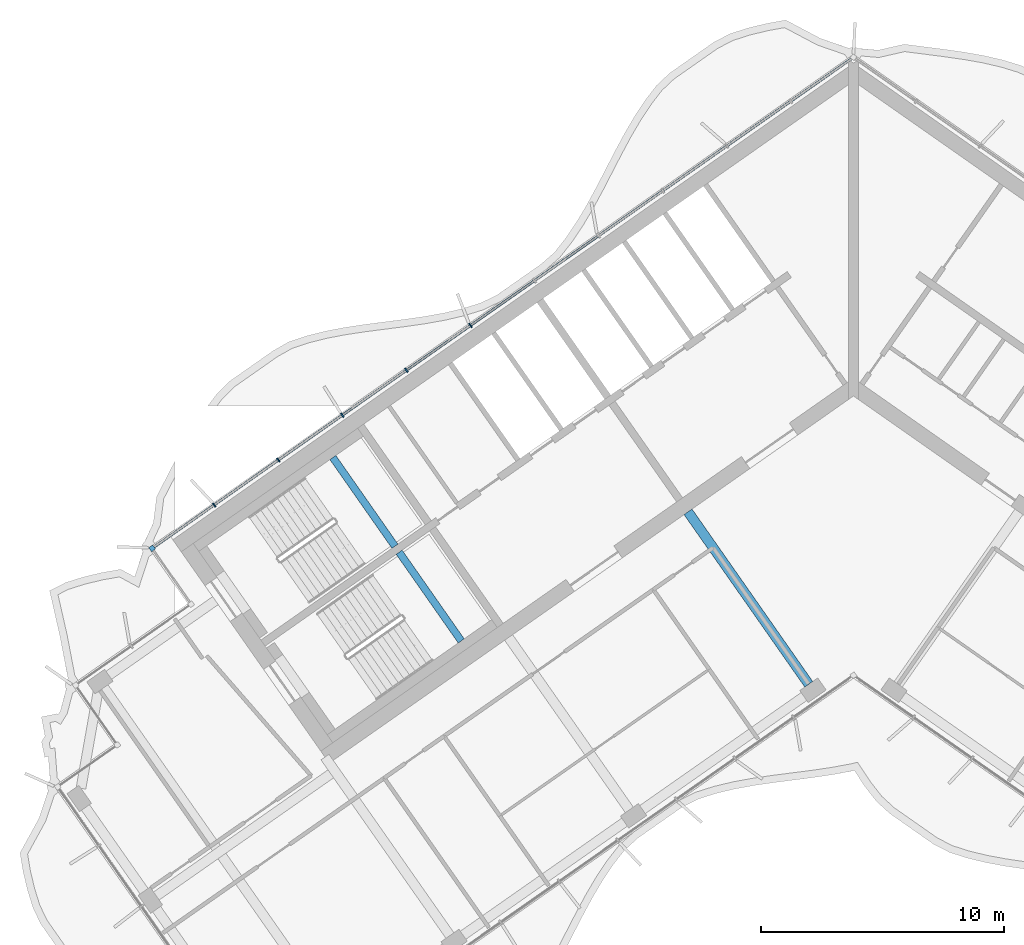
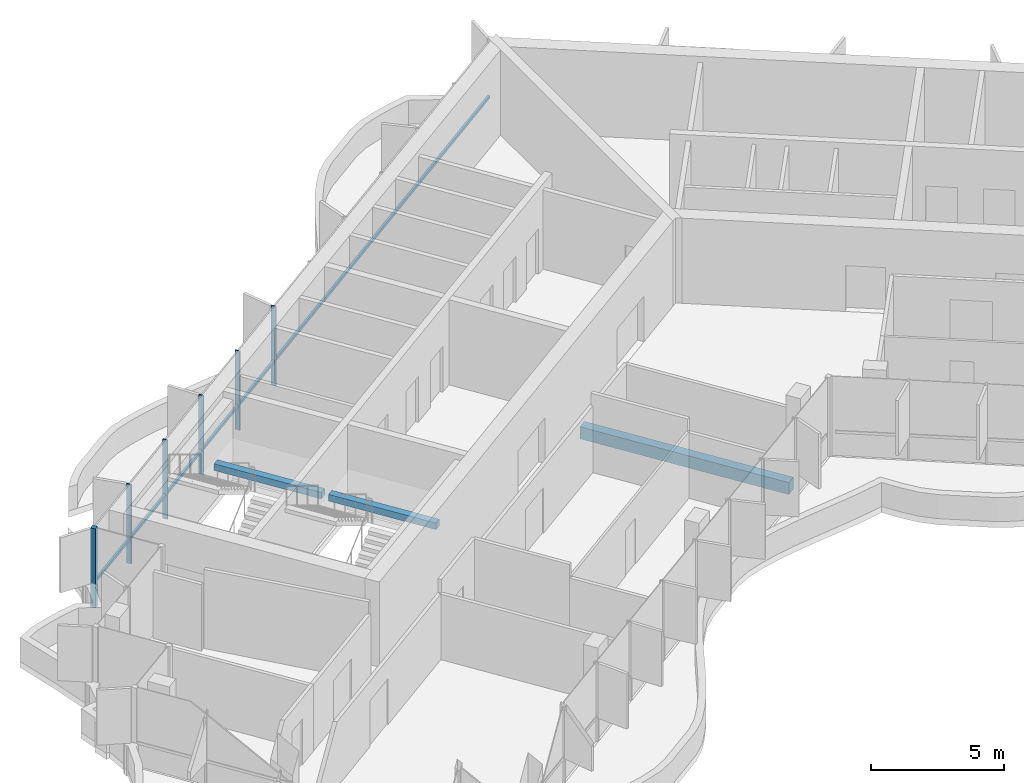
# One storey, part 3 of 20: 7 members, 3 beams, 1 element without a shape of its own.
"""IFC4 building model written with IfcOpenShell, lengths in metres."""

from ifc_helpers import new_model, si_unit, direction, frame, origin, origin_2d, place, context, subcontext, project, spatial, rectangle, extrude, material, material_profile, profile_set, type_object, element, aggregate, save


model = new_model("IFC4")

# Units and contexts
model_context = context("Model", 3, precision=1e-05, world=origin(), true_north=direction((0.0, 1.0)))
body_context = subcontext(model_context, "Body", "Model", "MODEL_VIEW")
ifc_project = project(units=[si_unit("LENGTHUNIT", "METRE"), si_unit("AREAUNIT", "SQUARE_METRE"), si_unit("VOLUMEUNIT", "CUBIC_METRE"), si_unit("PLANEANGLEUNIT", "RADIAN"), si_unit("MASSUNIT", "GRAM", prefix="KILO")], contexts=[model_context])

# Site, building, storey
site_placement = place(None, origin())
site = spatial("IfcSite", under=ifc_project, at=site_placement, CompositionType="ELEMENT")
building_placement = place(site_placement, origin())
building = spatial("IfcBuilding", under=site, at=building_placement, Name="Tel Ilan Convention Tower", CompositionType="ELEMENT")
storey_placement = place(building_placement, frame((0.0, 0.0, 244.89990234375)))
storey = spatial("IfcBuildingStorey", under=building, at=storey_placement, Name="L57", CompositionType="ELEMENT", Elevation=244.89990234375)

# Beam
ifc_material_1 = material(Name="Concrete C40/50", Category="concrete")
ifc_material_profile_1 = material_profile(ifc_material_1, rectangle(XDim=0.39990234375, YDim=0.550048828125, at=origin_2d()), Name="RC 400x550")
ifc_profile_set_1 = profile_set([ifc_material_profile_1], Name="Concrete C40/50")
beam_type_1 = type_object("IfcBeamType", Name="Beam RC 400x550 Concrete C40/50", PredefinedType="BEAM", material=ifc_profile_set_1)
beam_1_placement = place(storey_placement, frame((-1.83740234375, -13.06689453125, -0.554931640625), z_axis=(-0.573574099654, 0.819153680457, 0.0), x_axis=(-0.819153680457, -0.573574099654, 0.0)))
element("IfcBeam", 1, at=beam_1_placement, inside=storey, type_object=beam_type_1, Name="L57 beam W-W-F1-core", PredefinedType="BEAM", context=body_context, shape_type="SweptSolid", body=[
    extrude(rectangle(XDim=0.39990234375, YDim=0.550048828125, at=origin_2d()), origin(), (0.0, 0.0, 1.0), 8.64990234375),
])

# Curtain wall, members
ifc_material_2 = material(Name="Aluminium, bronze anodised", Category="aluminium")
curtain_wall_type = type_object("IfcCurtainWallType", Name="CW2 STICK CURTAIN WALL, SPANDREL PANELS", PredefinedType="NOTDEFINED", material=ifc_material_2)
curtain_wall_placement = place(storey_placement, origin())
curtain_wall = element("IfcCurtainWall", 2, at=curtain_wall_placement, inside=storey, type_object=curtain_wall_type, Name="Curtain wall CW2-44.01", PredefinedType="NOTDEFINED")
ifc_material_3 = material(Name="Aluminium, bronze anodised", Category="aluminium")
ifc_material_profile_2 = material_profile(ifc_material_3, rectangle(XDim=0.199951171875, YDim=0.199951171875, at=origin_2d()), Name="CW CORNER MULLION 200x200")
ifc_profile_set_2 = profile_set([ifc_material_profile_2], Name="Aluminium, bronze anodised")
member_type_1 = type_object("IfcMemberType", Name="CW CORNER MULLION 200x200", PredefinedType="MULLION", material=ifc_profile_set_2)
member_1_placement = place(storey_placement, frame((-28.819580078125, -7.483642578125, 0.0), z_axis=(0.0, 0.0, 1.0), x_axis=(-0.819152044289, -0.573576436351, 0.0)))
member_1 = element("IfcMember", 3, at=member_1_placement, type_object=member_type_1, Name="Corner mullion", PredefinedType="MULLION", context=body_context, shape_type="SweptSolid", body=[
    extrude(rectangle(XDim=0.199951171875, YDim=0.199951171875, at=origin_2d()), origin(), (0.0, 0.0, 1.0), 3.6201171875),
])
ifc_material_4 = material(Name="Aluminium, bronze anodised", Category="aluminium")
ifc_material_profile_3 = material_profile(ifc_material_4, rectangle(XDim=0.06005859375, YDim=0.199951171875, at=origin_2d()), Name="CW MULLION 60x200")
ifc_profile_set_3 = profile_set([ifc_material_profile_3], Name="Aluminium, bronze anodised")
member_type_2 = type_object("IfcMemberType", Name="CW MULLION 60x200", PredefinedType="MULLION", material=ifc_profile_set_3)
member_2_placement = place(storey_placement, frame((-15.73828125, 1.676025390625, 0.0), z_axis=(0.0, 0.0, 1.0), x_axis=(-0.819152044289, -0.573576436351, 0.0)))
member_2 = element("IfcMember", 4, at=member_2_placement, type_object=member_type_2, Name="Mullion", PredefinedType="MULLION", context=body_context, shape_type="SweptSolid", body=[
    extrude(rectangle(XDim=0.06005859375, YDim=0.199951171875, at=origin_2d()), origin(), (0.0, 0.0, 1.0), 3.6201171875),
])
member_3_placement = place(storey_placement, frame((-18.37109375, -0.16748046875, 0.0), z_axis=(0.0, 0.0, 1.0), x_axis=(-0.819152044289, -0.573576436351, 0.0)))
member_3 = element("IfcMember", 5, at=member_3_placement, type_object=member_type_2, Name="Mullion", PredefinedType="MULLION", context=body_context, shape_type="SweptSolid", body=[
    extrude(rectangle(XDim=0.06005859375, YDim=0.199951171875, at=origin_2d()), origin(), (0.0, 0.0, 1.0), 3.6201171875),
])
member_4_placement = place(storey_placement, frame((-21.003662109375, -2.0107421875, 0.0), z_axis=(0.0, 0.0, 1.0), x_axis=(-0.819152044289, -0.573576436351, 0.0)))
member_4 = element("IfcMember", 6, at=member_4_placement, type_object=member_type_2, Name="Mullion", PredefinedType="MULLION", context=body_context, shape_type="SweptSolid", body=[
    extrude(rectangle(XDim=0.06005859375, YDim=0.199951171875, at=origin_2d()), origin(), (0.0, 0.0, 1.0), 3.6201171875),
])
member_5_placement = place(storey_placement, frame((-23.63623046875, -3.854248046875, 0.0), z_axis=(0.0, 0.0, 1.0), x_axis=(-0.819152044289, -0.573576436351, 0.0)))
member_5 = element("IfcMember", 7, at=member_5_placement, type_object=member_type_2, Name="Mullion", PredefinedType="MULLION", context=body_context, shape_type="SweptSolid", body=[
    extrude(rectangle(XDim=0.06005859375, YDim=0.199951171875, at=origin_2d()), origin(), (0.0, 0.0, 1.0), 3.6201171875),
])
member_6_placement = place(storey_placement, frame((-26.268798828125, -5.697509765625, 0.0), z_axis=(0.0, 0.0, 1.0), x_axis=(-0.819152044289, -0.573576436351, 0.0)))
member_6 = element("IfcMember", 8, at=member_6_placement, type_object=member_type_2, Name="Mullion", PredefinedType="MULLION", context=body_context, shape_type="SweptSolid", body=[
    extrude(rectangle(XDim=0.06005859375, YDim=0.199951171875, at=origin_2d()), origin(), (0.0, 0.0, 1.0), 3.6201171875),
])
ifc_material_5 = material(Name="Aluminium, bronze anodised", Category="aluminium")
ifc_material_profile_4 = material_profile(ifc_material_5, rectangle(XDim=0.10009765625, YDim=0.1201171875, at=origin_2d()), Name="CW TRANSOM 100x120")
ifc_profile_set_4 = profile_set([ifc_material_profile_4], Name="Aluminium, bronze anodised")
member_type_3 = type_object("IfcMemberType", Name="CW TRANSOM 100x120", PredefinedType="USERDEFINED", material=ifc_profile_set_4)
member_7_placement = place(storey_placement, frame((-0.1064453125, 12.62158203125, 1.10009765625), z_axis=(-0.819150201937, -0.573579067494, 0.0), x_axis=(0.573579067494, -0.819150201937, 0.0)))
member_7 = element("IfcMember", 9, at=member_7_placement, type_object=member_type_3, Name="Transom", ObjectType="TRANSOM", PredefinedType="USERDEFINED", context=body_context, shape_type="SweptSolid", body=[
    extrude(rectangle(XDim=0.10009765625, YDim=0.1201171875, at=origin_2d()), origin(), (0.0, 0.0, 1.0), 34.9521484375),
])
aggregate(curtain_wall, [member_2, member_3, member_4, member_5, member_6, member_1, member_7])

# Beams
ifc_material_6 = material(Name="Concrete C40/50", Category="concrete")
ifc_material_profile_5 = material_profile(ifc_material_6, rectangle(XDim=0.300048828125, YDim=0.300048828125, at=origin_2d()), Name="RC 300x300")
ifc_profile_set_5 = profile_set([ifc_material_profile_5], Name="Concrete C40/50")
beam_type_2 = type_object("IfcBeamType", Name="Landing Beam RC 300x300 Concrete C40/50", PredefinedType="BEAM", material=ifc_profile_set_5)
beam_2_placement = place(storey_placement, frame((-18.841796875, -7.394287109375, 1.60009765625), z_axis=(-0.573547030514, 0.819172633691, 0.0), x_axis=(-0.819172633691, -0.573547030514, 0.0)))
element("IfcBeam", 10, at=beam_2_placement, inside=storey, type_object=beam_type_2, Name="S1 landing beam L57.1", PredefinedType="BEAM", context=body_context, shape_type="SweptSolid", body=[
    extrude(rectangle(XDim=0.300048828125, YDim=0.300048828125, at=origin_2d()), origin(), (0.0, 0.0, 1.0), 4.449951171875),
])
beam_3_placement = place(storey_placement, frame((-16.1171875, -11.285400390625, 1.60009765625), z_axis=(-0.573583844845, 0.819146856756, 0.0), x_axis=(-0.819146856756, -0.573583844845, 0.0)))
element("IfcBeam", 11, at=beam_3_placement, inside=storey, type_object=beam_type_2, Name="S2 landing beam L57.1", PredefinedType="BEAM", context=body_context, shape_type="SweptSolid", body=[
    extrude(rectangle(XDim=0.300048828125, YDim=0.300048828125, at=origin_2d()), origin(), (0.0, 0.0, 1.0), 4.4501953125),
])

save(model, "model.ifc")
